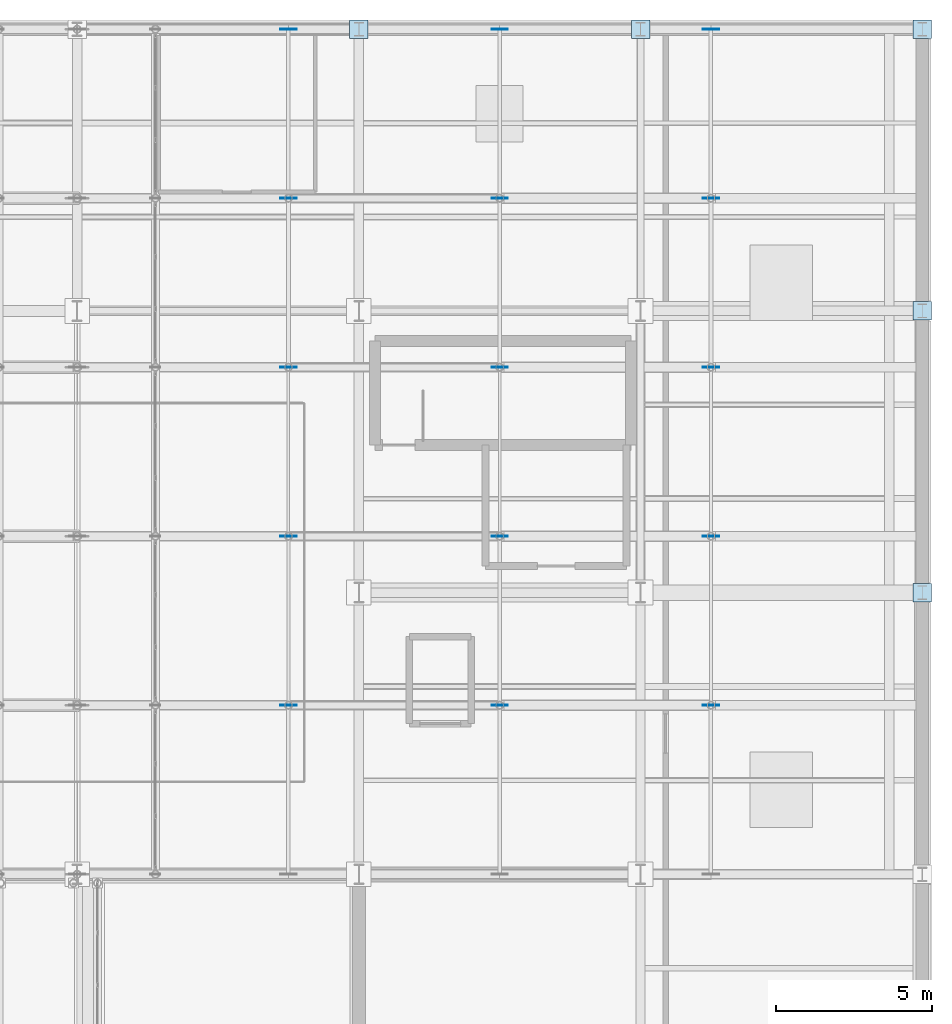
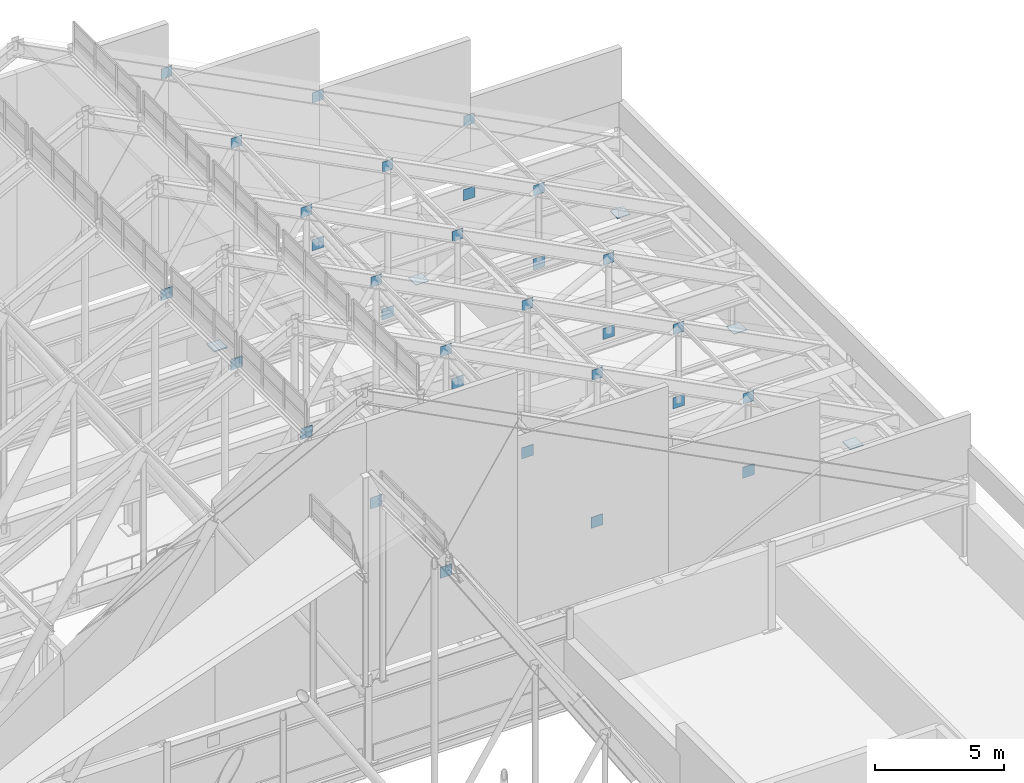
# One storey, part 81 of 84: 35 plates.
"""IFC4 building model written with IfcOpenShell, lengths in metres."""

from ifc_helpers import new_model, si_unit, direction, frame, origin, origin_2d, place, context, subcontext, project, spatial, rectangle, extrude, material, layer, layer_set, type_object, element, save


model = new_model("IFC4")

# Units and contexts
model_context = context("Model", 3, precision=1e-05, world=origin(), true_north=direction((0.0, 1.0)))
body_context = subcontext(model_context, "Body", "Model", "MODEL_VIEW")
ifc_project = project(units=[si_unit("LENGTHUNIT", "METRE"), si_unit("AREAUNIT", "SQUARE_METRE"), si_unit("VOLUMEUNIT", "CUBIC_METRE"), si_unit("PLANEANGLEUNIT", "RADIAN"), si_unit("MASSUNIT", "GRAM", prefix="KILO")], contexts=[model_context])

# Site, building, storey
site_placement = place(None, origin())
site = spatial("IfcSite", under=ifc_project, at=site_placement, CompositionType="ELEMENT")
building_placement = place(site_placement, origin())
building = spatial("IfcBuilding", under=site, at=building_placement, Name="Sundgate Opera House", CompositionType="ELEMENT")
storey_placement = place(building_placement, frame((0.0, 0.0, 30.60009765625)))
storey = spatial("IfcBuildingStorey", under=building, at=storey_placement, Name="L06", CompositionType="ELEMENT", Elevation=30.60009765625)

# Plates
ifc_material_1 = material(Name="Steel S355J2", Category="steel")
ifc_layer_1 = layer(ifc_material_1, 0.02587890625)
ifc_layer_set_1 = layer_set([ifc_layer_1], Name="Steel S355J2")
plate_type_1 = type_object("IfcPlateType", Name="PT-BAS-26", PredefinedType="USERDEFINED", material=ifc_layer_set_1)
for number, where, z_axis, x_axis, name in (
    (1, (72.0, 87.0, 0.0), (0.0, 0.0, 1.0), (1.0, 0.0, 0.0), "L06 Base Plate PT0131"),
    (2, (81.0, 78.0, 0.0), (0.0, 0.0, 1.0), (1.0, 0.0, 0.0), "L06 Base Plate PT0166"),
):
    element("IfcPlate", number, at=place(storey_placement, frame(where, z_axis=z_axis, x_axis=x_axis)), inside=storey, type_object=plate_type_1, Name=name, ObjectType="BASE PLATE", PredefinedType="USERDEFINED", context=body_context, shape_type="SweptSolid", body=[
        extrude(rectangle(XDim=0.590087890625, YDim=0.590087890625, at=origin_2d()), origin(), (0.0, 0.0, 1.0), 0.02587890625),
    ])
ifc_material_2 = material(Name="Steel S355J2", Category="steel")
ifc_layer_2 = layer(ifc_material_2, 0.030029296875)
ifc_layer_set_2 = layer_set([ifc_layer_2], Name="Steel S355J2")
plate_type_2 = type_object("IfcPlateType", Name="PT-BAS-30", PredefinedType="USERDEFINED", material=ifc_layer_set_2)
plate_1_placement = place(storey_placement, frame((81.0, 87.0, 0.0), z_axis=(0.0, 0.0, 1.0), x_axis=(1.0, 0.0, 0.0)))
element("IfcPlate", 3, at=plate_1_placement, inside=storey, type_object=plate_type_2, Name="L06 Base Plate PT0171", ObjectType="BASE PLATE", PredefinedType="USERDEFINED", context=body_context, shape_type="SweptSolid", body=[
    extrude(rectangle(XDim=0.590087890625, YDim=0.590087890625, at=origin_2d()), origin(), (0.0, 0.0, 1.0), 0.030029296875),
])
ifc_material_3 = material(Name="Steel S355J2", Category="steel")
ifc_layer_3 = layer(ifc_material_3, 0.055908203125)
ifc_layer_set_3 = layer_set([ifc_layer_3], Name="Steel S355J2")
plate_type_3 = type_object("IfcPlateType", Name="PT-BAS-56", PredefinedType="USERDEFINED", material=ifc_layer_set_3)
for number, where, z_axis, x_axis, name in (
    (4, (63.0, 87.0, 0.0), (0.0, 0.0, 1.0), (1.0, 0.0, 0.0), "L06 Base Plate PT0111"),
    (5, (81.0, 69.0, 0.0), (0.0, 0.0, 1.0), (1.0, 0.0, 0.0), "L06 Base Plate PT0161"),
):
    element("IfcPlate", number, at=place(storey_placement, frame(where, z_axis=z_axis, x_axis=x_axis)), inside=storey, type_object=plate_type_3, Name=name, ObjectType="BASE PLATE", PredefinedType="USERDEFINED", context=body_context, shape_type="SweptSolid", body=[
        extrude(rectangle(XDim=0.590087890625, YDim=0.590087890625, at=origin_2d()), origin(), (0.0, 0.0, 1.0), 0.055908203125),
    ])
ifc_material_4 = material(Name="Steel S355J2", Category="steel")
ifc_layer_4 = layer(ifc_material_4, 0.02490234375)
ifc_layer_set_4 = layer_set([ifc_layer_4], Name="Steel S355J2")
plate_type_4 = type_object("IfcPlateType", Name="PT-GUS-25", PredefinedType="USERDEFINED", material=ifc_layer_set_4)
plate_2_placement = place(storey_placement, frame((60.75, 65.39990234375, 13.482421875), z_axis=(0.0, 0.0, 1.0), x_axis=(1.0, 0.0, 0.0)))
element("IfcPlate", 6, at=plate_2_placement, inside=storey, type_object=plate_type_4, Name="L06 Truss Upper Node Gusset Plate", ObjectType="GUSSET PLATE", PredefinedType="USERDEFINED", context=body_context, shape_type="SweptSolid", body=[
    extrude(rectangle(XDim=0.47998046875, YDim=0.02490234375, at=origin_2d()), origin(), (0.0, 0.0, 1.0), 0.47998046875),
])
plate_3_placement = place(storey_placement, frame((67.5, 65.39990234375, 3.02978515625), z_axis=(0.0, 0.0, 1.0), x_axis=(1.0, 0.0, 0.0)))
element("IfcPlate", 7, at=plate_3_placement, inside=storey, type_object=plate_type_4, Name="L06 Truss Lower Node Gusset Plate", ObjectType="GUSSET PLATE", PredefinedType="USERDEFINED", context=body_context, shape_type="SweptSolid", body=[
    extrude(rectangle(XDim=0.52001953125, YDim=0.02490234375, at=origin_2d()), origin(), (0.0, 0.0, 1.0), 0.52001953125),
])
for number, where, z_axis, x_axis, name in (
    (8, (67.5, 65.39990234375, 10.0048828125), (0.0, 0.0, 1.0), (1.0, 0.0, 0.0), "L06 Truss Upper Node Gusset Plate"),
    (9, (74.25, 65.39990234375, 6.52734375), (0.0, 0.0, 1.0), (1.0, 0.0, 0.0), "L06 Truss Upper Node Gusset Plate"),
    (10, (60.75, 70.800048828125, 13.482421875), (0.0, 0.0, 1.0), (1.0, 0.0, 0.0), "L06 Truss Upper Node Gusset Plate"),
):
    element("IfcPlate", number, at=place(storey_placement, frame(where, z_axis=z_axis, x_axis=x_axis)), inside=storey, type_object=plate_type_4, Name=name, ObjectType="GUSSET PLATE", PredefinedType="USERDEFINED", context=body_context, shape_type="SweptSolid", body=[
        extrude(rectangle(XDim=0.47998046875, YDim=0.02490234375, at=origin_2d()), origin(), (0.0, 0.0, 1.0), 0.47998046875),
    ])
plate_4_placement = place(storey_placement, frame((67.5, 70.800048828125, 3.02978515625), z_axis=(0.0, 0.0, 1.0), x_axis=(1.0, 0.0, 0.0)))
element("IfcPlate", 11, at=plate_4_placement, inside=storey, type_object=plate_type_4, Name="L06 Truss Lower Node Gusset Plate", ObjectType="GUSSET PLATE", PredefinedType="USERDEFINED", context=body_context, shape_type="SweptSolid", body=[
    extrude(rectangle(XDim=0.52001953125, YDim=0.02490234375, at=origin_2d()), origin(), (0.0, 0.0, 1.0), 0.52001953125),
])
for number, where, z_axis, x_axis, name in (
    (12, (67.5, 70.800048828125, 10.0048828125), (0.0, 0.0, 1.0), (1.0, 0.0, 0.0), "L06 Truss Upper Node Gusset Plate"),
    (13, (74.25, 70.800048828125, 6.52734375), (0.0, 0.0, 1.0), (1.0, 0.0, 0.0), "L06 Truss Upper Node Gusset Plate"),
    (14, (60.75, 76.199951171875, 13.482421875), (0.0, 0.0, 1.0), (1.0, 0.0, 0.0), "L06 Truss Upper Node Gusset Plate"),
):
    element("IfcPlate", number, at=place(storey_placement, frame(where, z_axis=z_axis, x_axis=x_axis)), inside=storey, type_object=plate_type_4, Name=name, ObjectType="GUSSET PLATE", PredefinedType="USERDEFINED", context=body_context, shape_type="SweptSolid", body=[
        extrude(rectangle(XDim=0.47998046875, YDim=0.02490234375, at=origin_2d()), origin(), (0.0, 0.0, 1.0), 0.47998046875),
    ])
plate_5_placement = place(storey_placement, frame((67.5, 76.199951171875, 3.02978515625), z_axis=(0.0, 0.0, 1.0), x_axis=(1.0, 0.0, 0.0)))
element("IfcPlate", 15, at=plate_5_placement, inside=storey, type_object=plate_type_4, Name="L06 Truss Lower Node Gusset Plate", ObjectType="GUSSET PLATE", PredefinedType="USERDEFINED", context=body_context, shape_type="SweptSolid", body=[
    extrude(rectangle(XDim=0.52001953125, YDim=0.02490234375, at=origin_2d()), origin(), (0.0, 0.0, 1.0), 0.52001953125),
])
for number, where, z_axis, x_axis, name in (
    (16, (67.5, 76.199951171875, 10.0048828125), (0.0, 0.0, 1.0), (1.0, 0.0, 0.0), "L06 Truss Upper Node Gusset Plate"),
    (17, (74.25, 76.199951171875, 6.52734375), (0.0, 0.0, 1.0), (1.0, 0.0, 0.0), "L06 Truss Upper Node Gusset Plate"),
    (18, (60.75, 81.60009765625, 13.482421875), (0.0, 0.0, 1.0), (1.0, 0.0, 0.0), "L06 Truss Upper Node Gusset Plate"),
):
    element("IfcPlate", number, at=place(storey_placement, frame(where, z_axis=z_axis, x_axis=x_axis)), inside=storey, type_object=plate_type_4, Name=name, ObjectType="GUSSET PLATE", PredefinedType="USERDEFINED", context=body_context, shape_type="SweptSolid", body=[
        extrude(rectangle(XDim=0.47998046875, YDim=0.02490234375, at=origin_2d()), origin(), (0.0, 0.0, 1.0), 0.47998046875),
    ])
plate_6_placement = place(storey_placement, frame((67.5, 81.60009765625, 3.02978515625), z_axis=(0.0, 0.0, 1.0), x_axis=(1.0, 0.0, 0.0)))
element("IfcPlate", 19, at=plate_6_placement, inside=storey, type_object=plate_type_4, Name="L06 Truss Lower Node Gusset Plate", ObjectType="GUSSET PLATE", PredefinedType="USERDEFINED", context=body_context, shape_type="SweptSolid", body=[
    extrude(rectangle(XDim=0.52001953125, YDim=0.02490234375, at=origin_2d()), origin(), (0.0, 0.0, 1.0), 0.52001953125),
])
for number, where, z_axis, x_axis, name in (
    (20, (67.5, 81.60009765625, 10.0048828125), (0.0, 0.0, 1.0), (1.0, 0.0, 0.0), "L06 Truss Upper Node Gusset Plate"),
    (21, (74.25, 81.60009765625, 6.52734375), (0.0, 0.0, 1.0), (1.0, 0.0, 0.0), "L06 Truss Upper Node Gusset Plate"),
    (22, (60.75, 87.0, 13.482421875), (0.0, 0.0, 1.0), (1.0, 0.0, 0.0), "L06 Truss Upper Node Gusset Plate"),
):
    element("IfcPlate", number, at=place(storey_placement, frame(where, z_axis=z_axis, x_axis=x_axis)), inside=storey, type_object=plate_type_4, Name=name, ObjectType="GUSSET PLATE", PredefinedType="USERDEFINED", context=body_context, shape_type="SweptSolid", body=[
        extrude(rectangle(XDim=0.47998046875, YDim=0.02490234375, at=origin_2d()), origin(), (0.0, 0.0, 1.0), 0.47998046875),
    ])
plate_7_placement = place(storey_placement, frame((67.5, 87.0, 3.02978515625), z_axis=(0.0, 0.0, 1.0), x_axis=(1.0, 0.0, 0.0)))
element("IfcPlate", 23, at=plate_7_placement, inside=storey, type_object=plate_type_4, Name="L06 Truss Lower Node Gusset Plate", ObjectType="GUSSET PLATE", PredefinedType="USERDEFINED", context=body_context, shape_type="SweptSolid", body=[
    extrude(rectangle(XDim=0.52001953125, YDim=0.02490234375, at=origin_2d()), origin(), (0.0, 0.0, 1.0), 0.52001953125),
])
for number, where, z_axis, x_axis, name in (
    (24, (67.5, 87.0, 10.0048828125), (0.0, 0.0, 1.0), (1.0, 0.0, 0.0), "L06 Truss Upper Node Gusset Plate"),
    (25, (74.25, 87.0, 6.52734375), (0.0, 0.0, 1.0), (1.0, 0.0, 0.0), "L06 Truss Upper Node Gusset Plate"),
):
    element("IfcPlate", number, at=place(storey_placement, frame(where, z_axis=z_axis, x_axis=x_axis)), inside=storey, type_object=plate_type_4, Name=name, ObjectType="GUSSET PLATE", PredefinedType="USERDEFINED", context=body_context, shape_type="SweptSolid", body=[
        extrude(rectangle(XDim=0.47998046875, YDim=0.02490234375, at=origin_2d()), origin(), (0.0, 0.0, 1.0), 0.47998046875),
    ])
ifc_material_5 = material(Name="Steel S355J2", Category="steel")
ifc_layer_5 = layer(ifc_material_5, 0.028076171875)
ifc_layer_set_5 = layer_set([ifc_layer_5], Name="Steel S355J2")
plate_type_5 = type_object("IfcPlateType", Name="PT-GUS-28", PredefinedType="USERDEFINED", material=ifc_layer_set_5)
for number, where, z_axis, x_axis, name in (
    (26, (60.75, 65.39990234375, 3.02978515625), (0.0, 0.0, 1.0), (1.0, 0.0, 0.0), "L06 Truss Lower Node Gusset Plate"),
    (27, (74.25, 65.39990234375, 3.02978515625), (0.0, 0.0, 1.0), (1.0, 0.0, 0.0), "L06 Truss Lower Node Gusset Plate"),
    (28, (60.75, 70.800048828125, 3.02978515625), (0.0, 0.0, 1.0), (1.0, 0.0, 0.0), "L06 Truss Lower Node Gusset Plate"),
    (29, (74.25, 70.800048828125, 3.02978515625), (0.0, 0.0, 1.0), (1.0, 0.0, 0.0), "L06 Truss Lower Node Gusset Plate"),
    (30, (60.75, 76.199951171875, 3.02978515625), (0.0, 0.0, 1.0), (1.0, 0.0, 0.0), "L06 Truss Lower Node Gusset Plate"),
    (31, (74.25, 76.199951171875, 3.02978515625), (0.0, 0.0, 1.0), (1.0, 0.0, 0.0), "L06 Truss Lower Node Gusset Plate"),
    (32, (60.75, 81.60009765625, 3.02978515625), (0.0, 0.0, 1.0), (1.0, 0.0, 0.0), "L06 Truss Lower Node Gusset Plate"),
    (33, (74.25, 81.60009765625, 3.02978515625), (0.0, 0.0, 1.0), (1.0, 0.0, 0.0), "L06 Truss Lower Node Gusset Plate"),
    (34, (60.75, 87.0, 3.02978515625), (0.0, 0.0, 1.0), (1.0, 0.0, 0.0), "L06 Truss Lower Node Gusset Plate"),
    (35, (74.25, 87.0, 3.02978515625), (0.0, 0.0, 1.0), (1.0, 0.0, 0.0), "L06 Truss Lower Node Gusset Plate"),
):
    element("IfcPlate", number, at=place(storey_placement, frame(where, z_axis=z_axis, x_axis=x_axis)), inside=storey, type_object=plate_type_5, Name=name, ObjectType="GUSSET PLATE", PredefinedType="USERDEFINED", context=body_context, shape_type="SweptSolid", body=[
        extrude(rectangle(XDim=0.52001953125, YDim=0.028076171875, at=origin_2d()), origin(), (0.0, 0.0, 1.0), 0.52001953125),
    ])

save(model, "model.ifc")
